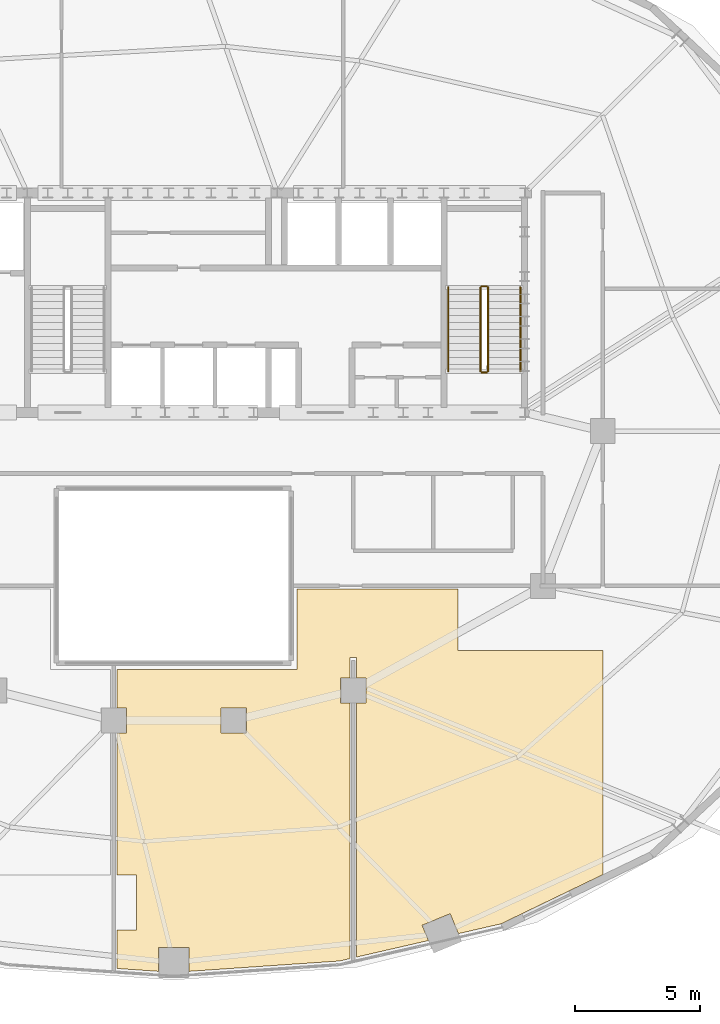
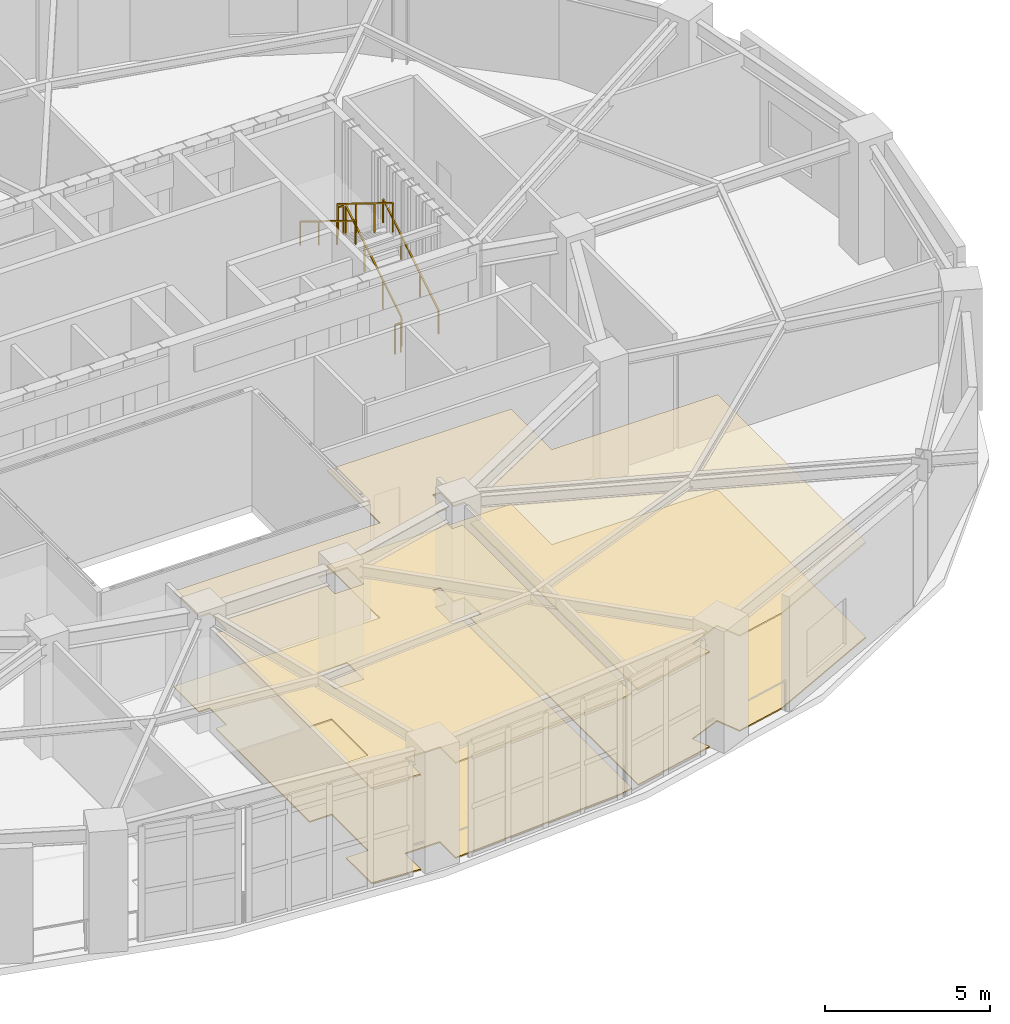
# One storey, part 13 of 13: 6 railings, 2 coverings.
"""IFC4 building model written with IfcOpenShell, lengths in metres."""

from ifc_helpers import new_model, si_unit, direction, frame, origin, origin_2d, place, context, subcontext, project, spatial, polyline, rectangle, outline, extrude, material, layer, layer_set, type_object, element, save


model = new_model("IFC4")

# Units and contexts
model_context = context("Model", 3, precision=1e-05, world=origin(), true_north=direction((0.0, 1.0)))
body_context = subcontext(model_context, "Body", "Model", "MODEL_VIEW")
ifc_project = project(units=[si_unit("LENGTHUNIT", "METRE"), si_unit("AREAUNIT", "SQUARE_METRE"), si_unit("VOLUMEUNIT", "CUBIC_METRE"), si_unit("PLANEANGLEUNIT", "RADIAN"), si_unit("MASSUNIT", "GRAM", prefix="KILO")], contexts=[model_context])

# Site, building, storey
site_placement = place(None, origin())
site = spatial("IfcSite", under=ifc_project, at=site_placement, CompositionType="ELEMENT")
building_placement = place(site_placement, origin())
building = spatial("IfcBuilding", under=site, at=building_placement, Name="Haldorwick Loom Tower", CompositionType="ELEMENT")
storey_placement = place(building_placement, frame((0.0, 0.0, 188.949951171875)))
storey = spatial("IfcBuildingStorey", under=building, at=storey_placement, Name="L51", CompositionType="ELEMENT", Elevation=188.949951171875)

# Coverings
ifc_material_1 = material(Name="Mineral Fibre Acoustic Ceiling Tile")
ifc_layer_1 = layer(ifc_material_1, 0.054931640625, Name="Mineral Fibre Acoustic Ceiling Tile")
ifc_layer_set_1 = layer_set([ifc_layer_1], Name="Mineral Fibre Acoustic Ceiling Tile")
covering_type_1 = type_object("IfcCoveringType", Name="ARC-COV-CEIL2", PredefinedType="CEILING", material=ifc_layer_set_1)
covering_1_placement = place(storey_placement, frame((0.0, 0.0, 3.509033203125)))
element("IfcCovering", 1, at=covering_1_placement, inside=storey, type_object=covering_type_1, Name="L51 Acoustic Suspended Ceiling 1", PredefinedType="CEILING", context=body_context, shape_type="SweptSolid", body=[
    extrude(outline(polyline([(53.199951171875, 8.217041015625), (53.199951171875, 17.199951171875), (47.39990234375, 17.199951171875), (47.39990234375, 19.669921875), (40.949951171875, 19.669921875), (40.949951171875, 16.449951171875), (33.72998046875, 16.449951171875), (33.72998046875, 14.907958984375), (34.10791015625, 14.907958984375), (34.10791015625, 13.89208984375), (33.72998046875, 13.89208984375), (33.72998046875, 8.199951171875), (34.5, 8.199951171875), (34.5, 6.0), (33.72998046875, 6.0), (33.72998046875, 4.456298828125), (35.39208984375, 4.342041015625), (35.39208984375, 5.302978515625), (36.60791015625, 5.302978515625), (36.60791015625, 4.342041015625), (42.64404296875, 4.756591796875), (43.070068359375, 4.8544921875), (43.070068359375, 15.092041015625), (42.69189453125, 15.092041015625), (42.69189453125, 16.10791015625), (43.070068359375, 16.10791015625), (43.070068359375, 16.909912109375), (43.070068359375, 16.912109375), (43.0703125, 16.913818359375), (43.07080078125, 16.915771484375), (43.071533203125, 16.917724609375), (43.072509765625, 16.91943359375), (43.073486328125, 16.921142578125), (43.074462890625, 16.922607421875), (43.075927734375, 16.924072265625), (43.077392578125, 16.925537109375), (43.078857421875, 16.926513671875), (43.08056640625, 16.927490234375), (43.082275390625, 16.928466796875), (43.084228515625, 16.92919921875), (43.086181640625, 16.9296875), (43.087890625, 16.929931640625), (43.090087890625, 16.929931640625), (43.31005859375, 16.929931640625), (43.31201171875, 16.929931640625), (43.31396484375, 16.9296875), (43.31591796875, 16.92919921875), (43.317626953125, 16.928466796875), (43.3193359375, 16.927490234375), (43.321044921875, 16.926513671875), (43.32275390625, 16.925537109375), (43.32421875, 16.924072265625), (43.325439453125, 16.922607421875), (43.32666015625, 16.921142578125), (43.32763671875, 16.91943359375), (43.32861328125, 16.917724609375), (43.3291015625, 16.915771484375), (43.32958984375, 16.913818359375), (43.329833984375, 16.912109375), (43.330078125, 16.909912109375), (43.330078125, 16.10791015625), (43.7080078125, 16.10791015625), (43.7080078125, 15.092041015625), (43.330078125, 15.092041015625), (43.330078125, 4.914306640625), (46.212158203125, 5.577392578125), (45.958984375, 6.1884765625), (47.08251953125, 6.65380859375), (47.413818359375, 5.853759765625), (49.123046875, 6.246826171875), (53.199951171875, 8.217041015625)]), holes=[polyline([(38.907958984375, 14.907958984375), (38.907958984375, 13.89208984375), (37.89208984375, 13.89208984375), (37.89208984375, 14.907958984375), (38.907958984375, 14.907958984375)])]), origin(), (0.0, 0.0, 1.0), 0.054931640625),
])
ifc_material_2 = material(Name="Polished Aggregate Terrazzo Finish")
ifc_layer_2 = layer(ifc_material_2, 0.044921875, Name="Polished Aggregate Terrazzo Finish")
ifc_layer_set_2 = layer_set([ifc_layer_2], Name="Polished Aggregate Terrazzo Finish")
covering_type_2 = type_object("IfcCoveringType", Name="ARC-COV-FLOOR2", PredefinedType="FLOORING", material=ifc_layer_set_2)
covering_2_placement = place(storey_placement, origin())
element("IfcCovering", 2, at=covering_2_placement, inside=storey, type_object=covering_type_2, Name="L51 Floor Finish 1", PredefinedType="FLOORING", context=body_context, shape_type="SweptSolid", body=[
    extrude(outline(polyline([(53.199951171875, 8.217041015625), (53.199951171875, 17.199951171875), (47.39990234375, 17.199951171875), (47.39990234375, 19.669921875), (40.949951171875, 19.669921875), (40.949951171875, 16.449951171875), (33.72998046875, 16.449951171875), (33.72998046875, 14.907958984375), (34.10791015625, 14.907958984375), (34.10791015625, 13.89208984375), (33.72998046875, 13.89208984375), (33.72998046875, 8.199951171875), (34.5, 8.199951171875), (34.5, 6.0), (33.72998046875, 6.0), (33.72998046875, 4.456298828125), (35.39208984375, 4.342041015625), (35.39208984375, 5.302978515625), (36.60791015625, 5.302978515625), (36.60791015625, 4.342041015625), (42.64404296875, 4.756591796875), (43.070068359375, 4.8544921875), (43.070068359375, 15.092041015625), (42.69189453125, 15.092041015625), (42.69189453125, 16.10791015625), (43.070068359375, 16.10791015625), (43.070068359375, 16.909912109375), (43.070068359375, 16.912109375), (43.0703125, 16.913818359375), (43.07080078125, 16.915771484375), (43.071533203125, 16.917724609375), (43.072509765625, 16.91943359375), (43.073486328125, 16.921142578125), (43.074462890625, 16.922607421875), (43.075927734375, 16.924072265625), (43.077392578125, 16.925537109375), (43.078857421875, 16.926513671875), (43.08056640625, 16.927490234375), (43.082275390625, 16.928466796875), (43.084228515625, 16.92919921875), (43.086181640625, 16.9296875), (43.087890625, 16.929931640625), (43.090087890625, 16.929931640625), (43.31005859375, 16.929931640625), (43.31201171875, 16.929931640625), (43.31396484375, 16.9296875), (43.31591796875, 16.92919921875), (43.317626953125, 16.928466796875), (43.3193359375, 16.927490234375), (43.321044921875, 16.926513671875), (43.32275390625, 16.925537109375), (43.32421875, 16.924072265625), (43.325439453125, 16.922607421875), (43.32666015625, 16.921142578125), (43.32763671875, 16.91943359375), (43.32861328125, 16.917724609375), (43.3291015625, 16.915771484375), (43.32958984375, 16.913818359375), (43.329833984375, 16.912109375), (43.330078125, 16.909912109375), (43.330078125, 16.10791015625), (43.7080078125, 16.10791015625), (43.7080078125, 15.092041015625), (43.330078125, 15.092041015625), (43.330078125, 4.914306640625), (46.212158203125, 5.577392578125), (45.958984375, 6.1884765625), (47.08251953125, 6.65380859375), (47.413818359375, 5.853759765625), (49.123046875, 6.246826171875), (53.199951171875, 8.217041015625)]), holes=[polyline([(38.907958984375, 14.907958984375), (38.907958984375, 13.89208984375), (37.89208984375, 13.89208984375), (37.89208984375, 14.907958984375), (38.907958984375, 14.907958984375)])]), origin(), (0.0, 0.0, 1.0), 0.045166015625),
])

# Railings
ifc_material_3 = material(Name="Steel CSA G40.21 350W", Category="steel")
railing_type_1 = type_object("IfcRailingType", Name="ARC-RLG-GUARD112", PredefinedType="GUARDRAIL", material=ifc_material_3)
railing_1_placement = place(storey_placement, frame((48.60009765625, 28.39990234375, 0.173095703125)))
element("IfcRailing", 3, at=railing_1_placement, inside=storey, type_object=railing_type_1, Name="L51 ST-02 stair guard 1", PredefinedType="GUARDRAIL", context=body_context, shape_type="SweptSolid", body=[
    extrude(rectangle(XDim=0.048095703125, YDim=0.048095703125, at=origin_2d()), frame((0.0, 0.0, 1.076171875), z_axis=(0.0, 0.850623216509, 0.525775754039), x_axis=(-1.0, 0.0, 0.0)), (0.0, 0.0, 1.0), 3.9501953125),
    extrude(rectangle(XDim=0.0419921875, YDim=0.0419921875, at=origin_2d()), origin(), (0.0, 0.0, 1.0), 1.052001953125),
    extrude(rectangle(XDim=0.0419921875, YDim=0.0419921875, at=origin_2d()), frame((0.0, 1.1201171875, 0.6923828125)), (0.0, 0.0, 1.0), 1.052001953125),
    extrude(rectangle(XDim=0.0419921875, YDim=0.0419921875, at=origin_2d()), frame((0.0, 2.239990234375, 1.384521484375)), (0.0, 0.0, 1.0), 1.052001953125),
    extrude(rectangle(XDim=0.0419921875, YDim=0.0419921875, at=origin_2d()), frame((0.0, 3.360107421875, 2.076904296875)), (0.0, 0.0, 1.0), 1.052001953125),
])
railing_2_placement = place(storey_placement, frame((48.550048828125, 31.81005859375, 2.25)))
element("IfcRailing", 4, at=railing_2_placement, inside=storey, type_object=railing_type_1, Name="L51 ST-02 stair guard 2", PredefinedType="GUARDRAIL", context=body_context, shape_type="SweptSolid", body=[
    extrude(rectangle(XDim=0.048095703125, YDim=0.048095703125, at=origin_2d()), frame((0.0, 0.0, 1.076171875), z_axis=(-1.0, 0.0, 0.0), x_axis=(0.0, -1.0, 0.0)), (0.0, 0.0, 1.0), 0.199951171875),
    extrude(rectangle(XDim=0.0419921875, YDim=0.0419921875, at=origin_2d()), origin(), (0.0, 0.0, 1.0), 1.052001953125),
    extrude(rectangle(XDim=0.0419921875, YDim=0.0419921875, at=origin_2d()), frame((-0.199951171875, 0.0, 0.0)), (0.0, 0.0, 1.0), 1.052001953125),
])
railing_3_placement = place(storey_placement, frame((48.300048828125, 31.760009765625, 2.423095703125)))
element("IfcRailing", 5, at=railing_3_placement, inside=storey, type_object=railing_type_1, Name="L51 ST-02 stair guard 3", PredefinedType="GUARDRAIL", context=body_context, shape_type="SweptSolid", body=[
    extrude(rectangle(XDim=0.048095703125, YDim=0.048095703125, at=origin_2d()), frame((0.0, 0.0, 1.076171875), z_axis=(0.0, -0.850623216509, 0.525775754039), x_axis=(1.0, 0.0, 0.0)), (0.0, 0.0, 1.0), 3.9501953125),
    extrude(rectangle(XDim=0.0419921875, YDim=0.0419921875, at=origin_2d()), origin(), (0.0, 0.0, 1.0), 1.052001953125),
    extrude(rectangle(XDim=0.0419921875, YDim=0.0419921875, at=origin_2d()), frame((0.0, -1.1201171875, 0.6923828125)), (0.0, 0.0, 1.0), 1.052001953125),
    extrude(rectangle(XDim=0.0419921875, YDim=0.0419921875, at=origin_2d()), frame((0.0, -2.239990234375, 1.384521484375)), (0.0, 0.0, 1.0), 1.052001953125),
    extrude(rectangle(XDim=0.0419921875, YDim=0.0419921875, at=origin_2d()), frame((0.0, -3.360107421875, 2.076904296875)), (0.0, 0.0, 1.0), 1.052001953125),
])
railing_4_placement = place(storey_placement, frame((48.550048828125, 28.35009765625, 0.0)))
element("IfcRailing", 6, at=railing_4_placement, inside=storey, type_object=railing_type_1, Name="L51 ST-02 stair guard 4", PredefinedType="GUARDRAIL", context=body_context, shape_type="SweptSolid", body=[
    extrude(rectangle(XDim=0.048095703125, YDim=0.048095703125, at=origin_2d()), frame((0.0, 0.0, 1.076171875), z_axis=(-1.0, 0.0, 0.0), x_axis=(0.0, -1.0, 0.0)), (0.0, 0.0, 1.0), 0.199951171875),
    extrude(rectangle(XDim=0.0419921875, YDim=0.0419921875, at=origin_2d()), origin(), (0.0, 0.0, 1.0), 1.052001953125),
    extrude(rectangle(XDim=0.0419921875, YDim=0.0419921875, at=origin_2d()), frame((-0.199951171875, 0.0, 0.0)), (0.0, 0.0, 1.0), 1.052001953125),
])
railing_type_2 = type_object("IfcRailingType", Name="ARC-RLG-HAND092", PredefinedType="HANDRAIL", material=ifc_material_3)
railing_5_placement = place(storey_placement, frame((49.89990234375, 28.39990234375, 0.173095703125)))
element("IfcRailing", 7, at=railing_5_placement, inside=storey, type_object=railing_type_2, Name="L51 ST-02 stair handrail 1", PredefinedType="HANDRAIL", context=body_context, shape_type="SweptSolid", body=[
    extrude(rectangle(XDim=0.048095703125, YDim=0.048095703125, at=origin_2d()), frame((0.0, 0.0, 0.8759765625), z_axis=(0.0, 0.850623216509, 0.525775754039), x_axis=(-1.0, 0.0, 0.0)), (0.0, 0.0, 1.0), 3.9501953125),
    extrude(rectangle(XDim=0.0419921875, YDim=0.0419921875, at=origin_2d()), origin(), (0.0, 0.0, 1.0), 0.851806640625),
    extrude(rectangle(XDim=0.0419921875, YDim=0.0419921875, at=origin_2d()), frame((0.0, 1.1201171875, 0.6923828125)), (0.0, 0.0, 1.0), 0.851806640625),
    extrude(rectangle(XDim=0.0419921875, YDim=0.0419921875, at=origin_2d()), frame((0.0, 2.239990234375, 1.384521484375)), (0.0, 0.0, 1.0), 0.851806640625),
    extrude(rectangle(XDim=0.0419921875, YDim=0.0419921875, at=origin_2d()), frame((0.0, 3.360107421875, 2.076904296875)), (0.0, 0.0, 1.0), 0.851806640625),
])
railing_6_placement = place(storey_placement, frame((47.0, 31.760009765625, 2.423095703125)))
element("IfcRailing", 8, at=railing_6_placement, inside=storey, type_object=railing_type_2, Name="L51 ST-02 stair handrail 2", PredefinedType="HANDRAIL", context=body_context, shape_type="SweptSolid", body=[
    extrude(rectangle(XDim=0.048095703125, YDim=0.048095703125, at=origin_2d()), frame((0.0, 0.0, 0.8759765625), z_axis=(0.0, -0.850623216509, 0.525775754039), x_axis=(1.0, 0.0, 0.0)), (0.0, 0.0, 1.0), 3.9501953125),
    extrude(rectangle(XDim=0.0419921875, YDim=0.0419921875, at=origin_2d()), origin(), (0.0, 0.0, 1.0), 0.851806640625),
    extrude(rectangle(XDim=0.0419921875, YDim=0.0419921875, at=origin_2d()), frame((0.0, -1.1201171875, 0.6923828125)), (0.0, 0.0, 1.0), 0.851806640625),
    extrude(rectangle(XDim=0.0419921875, YDim=0.0419921875, at=origin_2d()), frame((0.0, -2.239990234375, 1.384521484375)), (0.0, 0.0, 1.0), 0.851806640625),
    extrude(rectangle(XDim=0.0419921875, YDim=0.0419921875, at=origin_2d()), frame((0.0, -3.360107421875, 2.076904296875)), (0.0, 0.0, 1.0), 0.851806640625),
])

save(model, "model.ifc")
